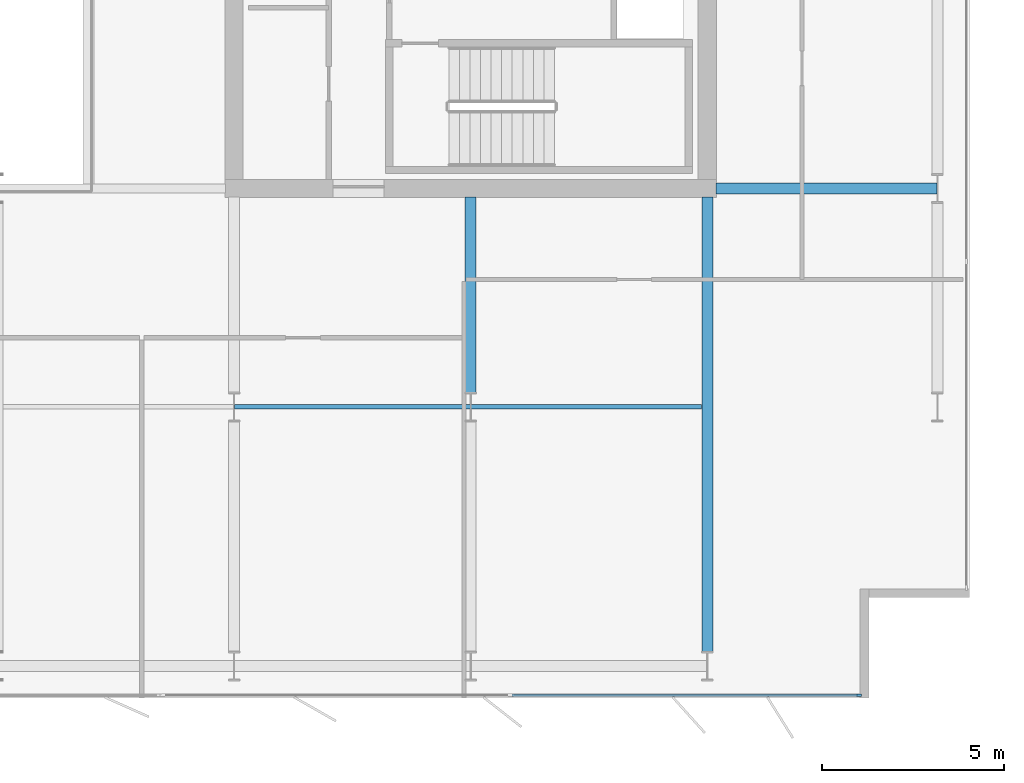
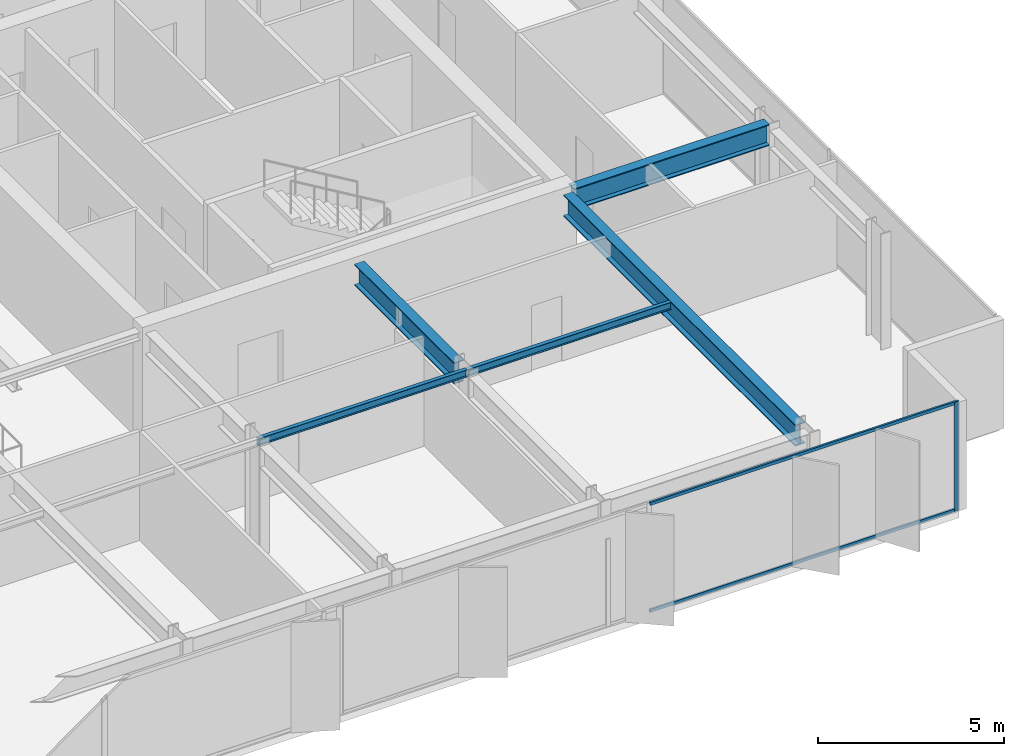
# One storey, part 8 of 23: 5 beams, 3 members, 1 element without a shape of its own.
"""IFC4 building model written with IfcOpenShell, lengths in metres."""

from ifc_helpers import new_model, si_unit, direction, frame, origin, origin_2d, place, context, subcontext, project, spatial, rectangle, i_section, extrude, material, layer, layer_set, material_profile, profile_set, type_object, element, aggregate, save


model = new_model("IFC4")

# Units and contexts
model_context = context("Model", 3, precision=1e-05, world=origin(), true_north=direction((0.0, 1.0)))
body_context = subcontext(model_context, "Body", "Model", "MODEL_VIEW")
ifc_project = project(units=[si_unit("LENGTHUNIT", "METRE"), si_unit("AREAUNIT", "SQUARE_METRE"), si_unit("VOLUMEUNIT", "CUBIC_METRE"), si_unit("PLANEANGLEUNIT", "RADIAN"), si_unit("MASSUNIT", "GRAM", prefix="KILO")], contexts=[model_context])

# Site, building, storey
site_placement = place(None, origin())
site = spatial("IfcSite", under=ifc_project, at=site_placement, CompositionType="ELEMENT")
building_placement = place(site_placement, origin())
building = spatial("IfcBuilding", under=site, at=building_placement, Name="Putna Gate Headquarters", CompositionType="ELEMENT")
storey_placement = place(building_placement, frame((0.0, 0.0, 206.199951171875)))
storey = spatial("IfcBuildingStorey", under=building, at=storey_placement, Name="L51", CompositionType="ELEMENT", Elevation=206.199951171875)

# Beams
ifc_material_1 = material(Name="Steel S355J2", Category="steel")
ifc_material_profile_1 = material_profile(ifc_material_1, i_section(OverallWidth=0.300048828125, OverallDepth=0.699951171875, WebThickness=0.01708984375, FlangeThickness=0.031982421875, at=origin_2d()), Name="Steel S355J2")
ifc_profile_set_1 = profile_set([ifc_material_profile_1], Name="Steel S355J2")
beam_type_1 = type_object("IfcBeamType", Name="BM-GIRD-B-HEB700", PredefinedType="USERDEFINED", material=ifc_profile_set_1)
beam_1_placement = place(storey_placement, frame((65.235107421875, 19.0, 3.22998046875), z_axis=(1.0, 0.0, 0.0), x_axis=(0.0, 1.0, 0.0)))
element("IfcBeam", 1, at=beam_1_placement, inside=storey, type_object=beam_type_1, Name="L51 East Wing Girder Y19", ObjectType="GIRDER", PredefinedType="USERDEFINED", context=body_context, shape_type="SweptSolid", body=[
    extrude(i_section(OverallWidth=0.300048828125, OverallDepth=0.699951171875, WebThickness=0.01708984375, FlangeThickness=0.031982421875, at=origin_2d()), origin(), (0.0, 0.0, 1.0), 6.078857421875),
])
beam_2_placement = place(storey_placement, frame((58.5, 13.39501953125, 3.22998046875), z_axis=(0.0, 1.0, 0.0), x_axis=(-1.0, 0.0, 0.0)))
element("IfcBeam", 2, at=beam_2_placement, inside=storey, type_object=beam_type_1, Name="L51 South Primary Girder X58-2", ObjectType="GIRDER", PredefinedType="USERDEFINED", context=body_context, shape_type="SweptSolid", body=[
    extrude(i_section(OverallWidth=0.300048828125, OverallDepth=0.699951171875, WebThickness=0.01708984375, FlangeThickness=0.031982421875, at=origin_2d()), origin(), (0.0, 0.0, 1.0), 5.369873046875),
])
beam_3_placement = place(storey_placement, frame((65.0, 6.27490234375, 3.22998046875), z_axis=(0.0, 1.0, 0.0), x_axis=(-1.0, 0.0, 0.0)))
element("IfcBeam", 3, at=beam_3_placement, inside=storey, type_object=beam_type_1, Name="L51 South Primary Girder X65", ObjectType="GIRDER", PredefinedType="USERDEFINED", context=body_context, shape_type="SweptSolid", body=[
    extrude(i_section(OverallWidth=0.300048828125, OverallDepth=0.699951171875, WebThickness=0.01708984375, FlangeThickness=0.031982421875, at=origin_2d()), origin(), (0.0, 0.0, 1.0), 12.489990234375),
])
ifc_material_profile_2 = material_profile(ifc_material_1, i_section(OverallWidth=0.1201171875, OverallDepth=0.239990234375, WebThickness=0.006103515625, FlangeThickness=0.009765625, at=origin_2d()), Name="Steel S355J2")
ifc_profile_set_2 = profile_set([ifc_material_profile_2], Name="Steel S355J2")
beam_type_2 = type_object("IfcBeamType", Name="BM-SEC-Z4-IPE240", PredefinedType="JOIST", material=ifc_profile_set_2)
beam_4_placement = place(storey_placement, frame((52.006103515625, 13.0, 3.4599609375), z_axis=(1.0, 0.0, 0.0), x_axis=(0.0, 1.0, 0.0)))
element("IfcBeam", 4, at=beam_4_placement, inside=storey, type_object=beam_type_2, Name="L51 South Secondary Beam 7", PredefinedType="JOIST", context=body_context, shape_type="SweptSolid", body=[
    extrude(i_section(OverallWidth=0.1201171875, OverallDepth=0.239990234375, WebThickness=0.006103515625, FlangeThickness=0.009765625, at=origin_2d()), origin(), (0.0, 0.0, 1.0), 6.48779296875),
])
beam_5_placement = place(storey_placement, frame((58.506103515625, 13.0, 3.4599609375), z_axis=(1.0, 0.0, 0.0), x_axis=(0.0, 1.0, 0.0)))
element("IfcBeam", 5, at=beam_5_placement, inside=storey, type_object=beam_type_2, Name="L51 South Secondary Beam 8", PredefinedType="JOIST", context=body_context, shape_type="SweptSolid", body=[
    extrude(i_section(OverallWidth=0.1201171875, OverallDepth=0.239990234375, WebThickness=0.006103515625, FlangeThickness=0.009765625, at=origin_2d()), origin(), (0.0, 0.0, 1.0), 6.33984375),
])

# Curtain wall, members
ifc_material_2 = material(Name="Anodised bronze aluminium curtain wall", Category="aluminium")
ifc_layer = layer(ifc_material_2, 0.139892578125)
ifc_layer_set = layer_set([ifc_layer], Name="Anodised bronze aluminium curtain wall")
curtain_wall_type = type_object("IfcCurtainWallType", Name="CW-SYS-Z4", PredefinedType="USERDEFINED", material=ifc_layer_set)
curtain_wall_placement = place(storey_placement, origin())
curtain_wall = element("IfcCurtainWall", 6, at=curtain_wall_placement, inside=storey, type_object=curtain_wall_type, Name="L51 South East Curtain Wall", ObjectType="STICK CURTAIN WALL", PredefinedType="USERDEFINED")
ifc_material_3 = material(Name="Anodised bronze aluminium EN AW-6060", Category="aluminium")
ifc_material_profile_3 = material_profile(ifc_material_3, rectangle(XDim=0.06005859375, YDim=0.139892578125, at=origin_2d()), Name="Anodised bronze aluminium EN AW-6060")
ifc_profile_set_3 = profile_set([ifc_material_profile_3], Name="Anodised bronze aluminium EN AW-6060")
member_type_1 = type_object("IfcMemberType", Name="MULL-CWM-4", PredefinedType="MULLION", material=ifc_profile_set_3)
member_1_placement = place(storey_placement, frame((69.169921875, 5.080078125, 0.0), z_axis=(0.0, 0.0, 1.0), x_axis=(0.0, 1.0, 0.0)))
member_1 = element("IfcMember", 7, at=member_1_placement, type_object=member_type_1, Name="CWS-4 mullion 3", PredefinedType="MULLION", context=body_context, shape_type="SweptSolid", body=[
    extrude(rectangle(XDim=0.06005859375, YDim=0.139892578125, at=origin_2d()), origin(), (0.0, 0.0, 1.0), 3.580078125),
])
ifc_material_profile_4 = material_profile(ifc_material_3, rectangle(XDim=0.06005859375, YDim=0.10009765625, at=origin_2d()), Name="Anodised bronze aluminium EN AW-6060")
ifc_profile_set_4 = profile_set([ifc_material_profile_4], Name="Anodised bronze aluminium EN AW-6060")
member_type_2 = type_object("IfcMemberType", Name="TRAN-CWT-4", PredefinedType="USERDEFINED", material=ifc_profile_set_4)
member_2_placement = place(storey_placement, frame((59.6298828125, 5.080078125, 0.030029296875), z_axis=(1.0, 0.0, 0.0), x_axis=(0.0, 1.0, 0.0)))
member_2 = element("IfcMember", 8, at=member_2_placement, type_object=member_type_2, Name="CWS-4 transom 2.1", ObjectType="TRANSOM", PredefinedType="USERDEFINED", context=body_context, shape_type="SweptSolid", body=[
    extrude(rectangle(XDim=0.06005859375, YDim=0.10009765625, at=origin_2d()), origin(), (0.0, 0.0, 1.0), 9.510009765625),
])
member_3_placement = place(storey_placement, frame((59.6298828125, 5.080078125, 3.550048828125), z_axis=(1.0, 0.0, 0.0), x_axis=(0.0, 1.0, 0.0)))
member_3 = element("IfcMember", 9, at=member_3_placement, type_object=member_type_2, Name="CWS-4 transom 2.2", ObjectType="TRANSOM", PredefinedType="USERDEFINED", context=body_context, shape_type="SweptSolid", body=[
    extrude(rectangle(XDim=0.06005859375, YDim=0.10009765625, at=origin_2d()), origin(), (0.0, 0.0, 1.0), 9.510009765625),
])
aggregate(curtain_wall, [member_1, member_2, member_3])

save(model, "model.ifc")
